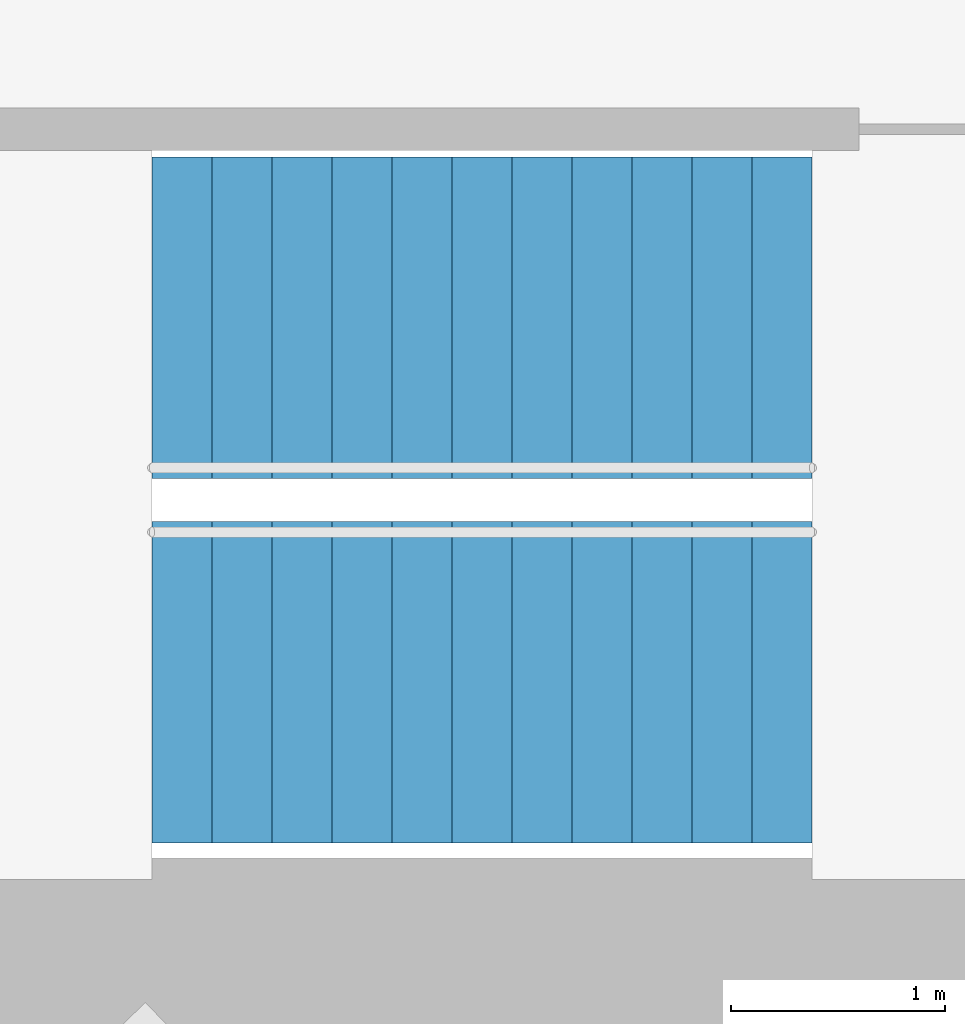
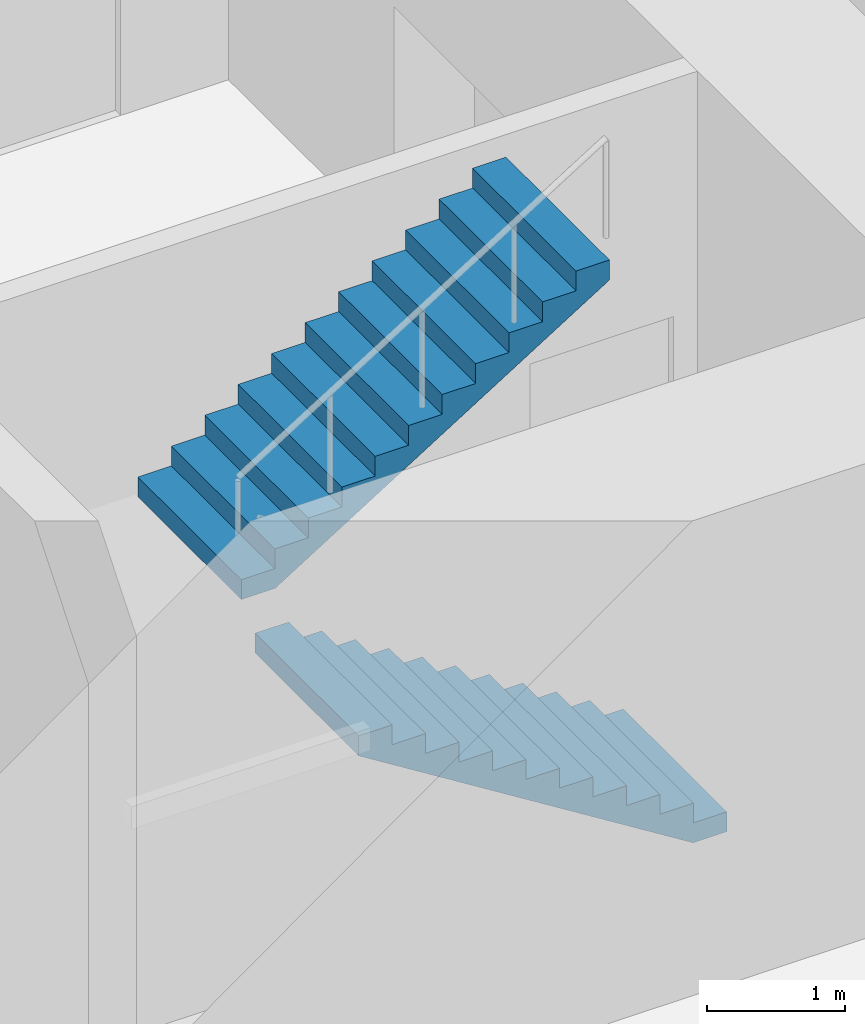
# One storey, part 17 of 18: 2 stair flights, 1 element without a shape of its own.
"""IFC4 building model written with IfcOpenShell, lengths in metres."""

from ifc_helpers import new_model, si_unit, direction, frame, origin, place, context, subcontext, project, spatial, triangles, material, type_object, element, aggregate, save


model = new_model("IFC4")

# Units and contexts
model_context = context("Model", 3, precision=1e-05, world=origin(), true_north=direction((0.0, 1.0)))
body_context = subcontext(model_context, "Body", "Model", "MODEL_VIEW")
ifc_project = project(units=[si_unit("LENGTHUNIT", "METRE"), si_unit("AREAUNIT", "SQUARE_METRE"), si_unit("VOLUMEUNIT", "CUBIC_METRE"), si_unit("PLANEANGLEUNIT", "RADIAN"), si_unit("MASSUNIT", "GRAM", prefix="KILO")], contexts=[model_context])

# Site, building, storey
site_placement = place(None, origin())
site = spatial("IfcSite", under=ifc_project, at=site_placement, CompositionType="ELEMENT")
building_placement = place(site_placement, origin())
building = spatial("IfcBuilding", under=site, at=building_placement, Name="Lantaw Convention Tower", CompositionType="ELEMENT")
storey_placement = place(building_placement, frame((0.0, 0.0, 188.800048828125)))
storey = spatial("IfcBuildingStorey", under=building, at=storey_placement, Name="L44", CompositionType="ELEMENT", Elevation=188.800048828125)

# Stair, stair flights
ifc_material = material(Name="Concrete C35/45", Category="concrete")
stair_type = type_object("IfcStairType", Name="Exit stair 1500 riser 175 in 2 flights", PredefinedType="HALF_TURN_STAIR", material=ifc_material)
stair_placement = place(storey_placement, origin())
stair = element("IfcStair", 1, at=stair_placement, inside=storey, type_object=stair_type, Name="Exit stair S2 L44", PredefinedType="HALF_TURN_STAIR")
stair_flight_type = type_object("IfcStairFlightType", Name="Stair flight 1500 riser 175", PredefinedType="STRAIGHT", material=ifc_material)
stair_flight_1_placement = place(storey_placement, frame((10.580078125, -5.97998046875, 0.0), z_axis=(0.0, 0.0, 1.0), x_axis=(-1.0, 0.0, 0.0)))
stair_flight_1 = element("IfcStairFlight", 2, at=stair_flight_1_placement, type_object=stair_flight_type, Name="S2 flight 1", NumberOfRisers=12, NumberOfTreads=11, PredefinedType="STRAIGHT", RiserHeight=0.175, TreadLength=0.28, context=body_context, shape_type="Tessellation", body=[
    triangles([(0.0, 0.75, 0.0), (0.0, 0.75, 0.175), (0.28, 0.75, 0.0), (0.28, 0.75, 0.175), (0.28, 0.75, 0.35), (0.28283517651771284, 0.75, 0.0), (0.28283517651771284, 0.75, 0.35), (0.56, 0.75, 0.17322801467642948), (0.56, 0.75, 0.35), (0.56, 0.75, 0.5249999999999999), (0.8400000000000001, 0.75, 0.34822801467642944), (0.8400000000000001, 0.75, 0.5249999999999999), (0.8400000000000001, 0.75, 0.7), (1.12, 0.75, 0.5232280146764294), (1.12, 0.75, 0.7), (1.12, 0.75, 0.875), (1.4000000000000001, 0.75, 0.6982280146764295), (1.4000000000000001, 0.75, 0.875), (1.4000000000000001, 0.75, 1.0499999999999998), (1.6800000000000002, 0.75, 0.8732280146764294), (1.6800000000000002, 0.75, 1.0499999999999998), (1.6800000000000002, 0.75, 1.2249999999999999), (1.9600000000000002, 0.75, 1.0482280146764293), (1.9600000000000002, 0.75, 1.2249999999999999), (1.9600000000000002, 0.75, 1.4), (2.24, 0.75, 1.2232280146764294), (2.24, 0.75, 1.4), (2.24, 0.75, 1.575), (2.5200000000000005, 0.75, 1.3982280146764294), (2.5200000000000005, 0.75, 1.575), (2.5200000000000005, 0.75, 1.75), (2.8000000000000003, 0.75, 1.5732280146764293), (2.8000000000000003, 0.75, 1.75), (2.8000000000000003, 0.75, 1.9249999999999998), (3.08, 0.75, 1.7482280146764293), (3.08, 0.75, 1.9249999999999998), (0.0, -0.75, 0.0), (0.0, -0.75, 0.175), (0.28, -0.75, 0.0), (0.28, -0.75, 0.175), (0.28, -0.75, 0.35), (0.28283517651771284, -0.75, 0.0), (0.28283517651771284, -0.75, 0.35), (0.56, -0.75, 0.17322801467642948), (0.56, -0.75, 0.35), (0.56, -0.75, 0.5249999999999999), (0.8400000000000001, -0.75, 0.34822801467642944), (0.8400000000000001, -0.75, 0.5249999999999999), (0.8400000000000001, -0.75, 0.7), (1.12, -0.75, 0.5232280146764294), (1.12, -0.75, 0.7), (1.12, -0.75, 0.875), (1.4000000000000001, -0.75, 0.6982280146764295), (1.4000000000000001, -0.75, 0.875), (1.4000000000000001, -0.75, 1.0499999999999998), (1.6800000000000002, -0.75, 0.8732280146764294), (1.6800000000000002, -0.75, 1.0499999999999998), (1.6800000000000002, -0.75, 1.2249999999999999), (1.9600000000000002, -0.75, 1.0482280146764293), (1.9600000000000002, -0.75, 1.2249999999999999), (1.9600000000000002, -0.75, 1.4), (2.24, -0.75, 1.2232280146764294), (2.24, -0.75, 1.4), (2.24, -0.75, 1.575), (2.5200000000000005, -0.75, 1.3982280146764294), (2.5200000000000005, -0.75, 1.575), (2.5200000000000005, -0.75, 1.75), (2.8000000000000003, -0.75, 1.5732280146764293), (2.8000000000000003, -0.75, 1.75), (2.8000000000000003, -0.75, 1.9249999999999998), (3.08, -0.75, 1.7482280146764293), (3.08, -0.75, 1.9249999999999998), (0.0, 0.15000000000000002, 0.175), (0.0, 0.15000000000000002, 0.0), (0.0, 0.0, 0.175), (0.0, 0.0, 0.0), (0.0, -0.15000000000000002, 0.175), (0.0, -0.15000000000000002, 0.0), (0.28, 0.15000000000000002, 0.35), (0.28, 0.15000000000000002, 0.175), (0.28, 0.0, 0.35), (0.28, 0.0, 0.175), (0.28, -0.15000000000000002, 0.35), (0.28, -0.15000000000000002, 0.175), (0.56, 0.15000000000000002, 0.5249999999999999), (0.56, 0.15000000000000002, 0.35), (0.56, 0.0, 0.5249999999999999), (0.56, 0.0, 0.35), (0.56, -0.15000000000000002, 0.5249999999999999), (0.56, -0.15000000000000002, 0.35), (0.8400000000000001, 0.15000000000000002, 0.7), (0.8400000000000001, 0.15000000000000002, 0.5249999999999999), (0.8400000000000001, 0.0, 0.7), (0.8400000000000001, 0.0, 0.5249999999999999), (0.8400000000000001, -0.15000000000000002, 0.7), (0.8400000000000001, -0.15000000000000002, 0.5249999999999999), (1.12, 0.15000000000000002, 0.875), (1.12, 0.15000000000000002, 0.7), (1.12, 0.0, 0.875), (1.12, 0.0, 0.7), (1.12, -0.15000000000000002, 0.875), (1.12, -0.15000000000000002, 0.7), (1.4000000000000001, 0.15000000000000002, 1.0499999999999998), (1.4000000000000001, 0.15000000000000002, 0.875), (1.4000000000000001, 0.0, 1.0499999999999998), (1.4000000000000001, 0.0, 0.875), (1.4000000000000001, -0.15000000000000002, 1.0499999999999998), (1.4000000000000001, -0.15000000000000002, 0.875), (1.6800000000000002, 0.15000000000000002, 1.2249999999999999), (1.6800000000000002, 0.15000000000000002, 1.0499999999999998), (1.6800000000000002, 0.0, 1.2249999999999999), (1.6800000000000002, 0.0, 1.0499999999999998), (1.6800000000000002, -0.15000000000000002, 1.2249999999999999), (1.6800000000000002, -0.15000000000000002, 1.0499999999999998), (1.9600000000000002, 0.15000000000000002, 1.4), (1.9600000000000002, 0.15000000000000002, 1.2249999999999999), (1.9600000000000002, 0.0, 1.4), (1.9600000000000002, 0.0, 1.2249999999999999), (1.9600000000000002, -0.15000000000000002, 1.4), (1.9600000000000002, -0.15000000000000002, 1.2249999999999999), (2.24, 0.15000000000000002, 1.575), (2.24, 0.15000000000000002, 1.4), (2.24, 0.0, 1.575), (2.24, 0.0, 1.4), (2.24, -0.15000000000000002, 1.575), (2.24, -0.15000000000000002, 1.4), (2.5200000000000005, 0.15000000000000002, 1.75), (2.5200000000000005, 0.15000000000000002, 1.575), (2.5200000000000005, 0.0, 1.75), (2.5200000000000005, 0.0, 1.575), (2.5200000000000005, -0.15000000000000002, 1.75), (2.5200000000000005, -0.15000000000000002, 1.575), (2.8000000000000003, 0.15000000000000002, 1.9249999999999998), (2.8000000000000003, 0.15000000000000002, 1.75), (2.8000000000000003, 0.0, 1.9249999999999998), (2.8000000000000003, 0.0, 1.75), (2.8000000000000003, -0.15000000000000002, 1.9249999999999998), (2.8000000000000003, -0.15000000000000002, 1.75), (0.28283517651771284, 0.15000000000000002, 0.35), (0.28283517651771284, 0.0, 0.35), (0.28283517651771284, -0.15000000000000002, 0.35), (3.08, 0.15000000000000002, 1.9249999999999998), (3.08, 0.0, 1.9249999999999998), (3.08, -0.15000000000000002, 1.9249999999999998), (3.08, 0.15000000000000002, 1.7482280146764293), (3.08, 0.0, 1.7482280146764293), (3.08, -0.15000000000000002, 1.7482280146764293), (2.8000000000000003, 0.15000000000000002, 1.5732280146764293), (2.8000000000000003, 0.0, 1.5732280146764293), (2.8000000000000003, -0.15000000000000002, 1.5732280146764293), (2.5200000000000005, 0.15000000000000002, 1.3982280146764294), (2.5200000000000005, 0.0, 1.3982280146764294), (2.5200000000000005, -0.15000000000000002, 1.3982280146764294), (2.24, 0.15000000000000002, 1.2232280146764294), (2.24, 0.0, 1.2232280146764294), (2.24, -0.15000000000000002, 1.2232280146764294), (1.9600000000000002, 0.15000000000000002, 1.0482280146764293), (1.9600000000000002, 0.0, 1.0482280146764293), (1.9600000000000002, -0.15000000000000002, 1.0482280146764293), (1.6800000000000002, 0.15000000000000002, 0.8732280146764294), (1.6800000000000002, 0.0, 0.8732280146764294), (1.6800000000000002, -0.15000000000000002, 0.8732280146764294), (1.4000000000000001, 0.15000000000000002, 0.6982280146764295), (1.4000000000000001, 0.0, 0.6982280146764295), (1.4000000000000001, -0.15000000000000002, 0.6982280146764295), (1.12, 0.15000000000000002, 0.5232280146764294), (1.12, 0.0, 0.5232280146764294), (1.12, -0.15000000000000002, 0.5232280146764294), (0.8400000000000001, 0.15000000000000002, 0.34822801467642944), (0.8400000000000001, 0.0, 0.34822801467642944), (0.8400000000000001, -0.15000000000000002, 0.34822801467642944), (0.56, 0.15000000000000002, 0.17322801467642948), (0.56, 0.0, 0.17322801467642948), (0.56, -0.15000000000000002, 0.17322801467642948), (0.28283517651771284, 0.15000000000000002, 0.0), (0.28283517651771284, 0.0, 0.0), (0.28283517651771284, -0.15000000000000002, 0.0), (0.28, 0.15000000000000002, 0.0), (0.28, 0.0, 0.0), (0.28, -0.15000000000000002, 0.0)], [[1, 4, 3], [1, 2, 4], [3, 4, 6], [4, 7, 6], [4, 5, 7], [6, 9, 8], [6, 7, 9], [8, 9, 11], [9, 12, 11], [9, 10, 12], [11, 12, 14], [12, 15, 14], [12, 13, 15], [14, 15, 17], [15, 18, 17], [15, 16, 18], [17, 18, 20], [18, 21, 20], [18, 19, 21], [20, 21, 23], [21, 24, 23], [21, 22, 24], [23, 24, 26], [24, 27, 26], [24, 25, 27], [26, 27, 29], [27, 30, 29], [27, 28, 30], [29, 30, 32], [30, 33, 32], [30, 31, 33], [32, 33, 35], [33, 36, 35], [33, 34, 36], [37, 39, 40], [37, 40, 38], [39, 42, 40], [40, 42, 43], [40, 43, 41], [42, 44, 45], [42, 45, 43], [44, 47, 45], [45, 47, 48], [45, 48, 46], [47, 50, 48], [48, 50, 51], [48, 51, 49], [50, 53, 51], [51, 53, 54], [51, 54, 52], [53, 56, 54], [54, 56, 57], [54, 57, 55], [56, 59, 57], [57, 59, 60], [57, 60, 58], [59, 62, 60], [60, 62, 63], [60, 63, 61], [62, 65, 63], [63, 65, 66], [63, 66, 64], [65, 68, 66], [66, 68, 69], [66, 69, 67], [68, 71, 69], [69, 71, 72], [69, 72, 70], [1, 73, 2], [1, 74, 73], [74, 75, 73], [74, 76, 75], [76, 77, 75], [76, 78, 77], [78, 38, 77], [78, 37, 38], [4, 79, 5], [4, 80, 79], [80, 81, 79], [80, 82, 81], [82, 83, 81], [82, 84, 83], [84, 41, 83], [84, 40, 41], [9, 85, 10], [9, 86, 85], [86, 87, 85], [86, 88, 87], [88, 89, 87], [88, 90, 89], [90, 46, 89], [90, 45, 46], [12, 91, 13], [12, 92, 91], [92, 93, 91], [92, 94, 93], [94, 95, 93], [94, 96, 95], [96, 49, 95], [96, 48, 49], [15, 97, 16], [15, 98, 97], [98, 99, 97], [98, 100, 99], [100, 101, 99], [100, 102, 101], [102, 52, 101], [102, 51, 52], [18, 103, 19], [18, 104, 103], [104, 105, 103], [104, 106, 105], [106, 107, 105], [106, 108, 107], [108, 55, 107], [108, 54, 55], [21, 109, 22], [21, 110, 109], [110, 111, 109], [110, 112, 111], [112, 113, 111], [112, 114, 113], [114, 58, 113], [114, 57, 58], [24, 115, 25], [24, 116, 115], [116, 117, 115], [116, 118, 117], [118, 119, 117], [118, 120, 119], [120, 61, 119], [120, 60, 61], [27, 121, 28], [27, 122, 121], [122, 123, 121], [122, 124, 123], [124, 125, 123], [124, 126, 125], [126, 64, 125], [126, 63, 64], [30, 127, 31], [30, 128, 127], [128, 129, 127], [128, 130, 129], [130, 131, 129], [130, 132, 131], [132, 67, 131], [132, 66, 67], [33, 133, 34], [33, 134, 133], [134, 135, 133], [134, 136, 135], [136, 137, 135], [136, 138, 137], [138, 70, 137], [138, 69, 70], [2, 80, 4], [2, 73, 80], [73, 82, 80], [73, 75, 82], [75, 84, 82], [75, 77, 84], [77, 40, 84], [77, 38, 40], [5, 139, 7], [5, 79, 139], [79, 140, 139], [79, 81, 140], [81, 141, 140], [81, 83, 141], [83, 43, 141], [83, 41, 43], [7, 86, 9], [7, 139, 86], [139, 88, 86], [139, 140, 88], [140, 90, 88], [140, 141, 90], [141, 45, 90], [141, 43, 45], [10, 92, 12], [10, 85, 92], [85, 94, 92], [85, 87, 94], [87, 96, 94], [87, 89, 96], [89, 48, 96], [89, 46, 48], [13, 98, 15], [13, 91, 98], [91, 100, 98], [91, 93, 100], [93, 102, 100], [93, 95, 102], [95, 51, 102], [95, 49, 51], [16, 104, 18], [16, 97, 104], [97, 106, 104], [97, 99, 106], [99, 108, 106], [99, 101, 108], [101, 54, 108], [101, 52, 54], [19, 110, 21], [19, 103, 110], [103, 112, 110], [103, 105, 112], [105, 114, 112], [105, 107, 114], [107, 57, 114], [107, 55, 57], [22, 116, 24], [22, 109, 116], [109, 118, 116], [109, 111, 118], [111, 120, 118], [111, 113, 120], [113, 60, 120], [113, 58, 60], [25, 122, 27], [25, 115, 122], [115, 124, 122], [115, 117, 124], [117, 126, 124], [117, 119, 126], [119, 63, 126], [119, 61, 63], [28, 128, 30], [28, 121, 128], [121, 130, 128], [121, 123, 130], [123, 132, 130], [123, 125, 132], [125, 66, 132], [125, 64, 66], [31, 134, 33], [31, 127, 134], [127, 136, 134], [127, 129, 136], [129, 138, 136], [129, 131, 138], [131, 69, 138], [131, 67, 69], [34, 142, 36], [34, 133, 142], [133, 143, 142], [133, 135, 143], [135, 144, 143], [135, 137, 144], [137, 72, 144], [137, 70, 72], [36, 145, 35], [36, 142, 145], [142, 146, 145], [142, 143, 146], [143, 147, 146], [143, 144, 147], [144, 71, 147], [144, 72, 71], [35, 148, 32], [35, 145, 148], [145, 149, 148], [145, 146, 149], [146, 150, 149], [146, 147, 150], [147, 68, 150], [147, 71, 68], [32, 151, 29], [32, 148, 151], [148, 152, 151], [148, 149, 152], [149, 153, 152], [149, 150, 153], [150, 65, 153], [150, 68, 65], [29, 154, 26], [29, 151, 154], [151, 155, 154], [151, 152, 155], [152, 156, 155], [152, 153, 156], [153, 62, 156], [153, 65, 62], [26, 157, 23], [26, 154, 157], [154, 158, 157], [154, 155, 158], [155, 159, 158], [155, 156, 159], [156, 59, 159], [156, 62, 59], [23, 160, 20], [23, 157, 160], [157, 161, 160], [157, 158, 161], [158, 162, 161], [158, 159, 162], [159, 56, 162], [159, 59, 56], [20, 163, 17], [20, 160, 163], [160, 164, 163], [160, 161, 164], [161, 165, 164], [161, 162, 165], [162, 53, 165], [162, 56, 53], [17, 166, 14], [17, 163, 166], [163, 167, 166], [163, 164, 167], [164, 168, 167], [164, 165, 168], [165, 50, 168], [165, 53, 50], [14, 169, 11], [14, 166, 169], [166, 170, 169], [166, 167, 170], [167, 171, 170], [167, 168, 171], [168, 47, 171], [168, 50, 47], [11, 172, 8], [11, 169, 172], [169, 173, 172], [169, 170, 173], [170, 174, 173], [170, 171, 174], [171, 44, 174], [171, 47, 44], [8, 175, 6], [8, 172, 175], [172, 176, 175], [172, 173, 176], [173, 177, 176], [173, 174, 177], [174, 42, 177], [174, 44, 42], [6, 178, 3], [6, 175, 178], [175, 179, 178], [175, 176, 179], [176, 180, 179], [176, 177, 180], [177, 39, 180], [177, 42, 39], [3, 74, 1], [3, 178, 74], [178, 76, 74], [178, 179, 76], [179, 78, 76], [179, 180, 78], [180, 37, 78], [180, 39, 37]], closed=True),
])
stair_flight_2_placement = place(storey_placement, frame((7.5, -4.280029296875, 2.099853515625), z_axis=(0.0, 0.0, 1.0), x_axis=(1.0, 0.0, 0.0)))
stair_flight_2 = element("IfcStairFlight", 3, at=stair_flight_2_placement, type_object=stair_flight_type, Name="S2 flight 2", NumberOfRisers=12, NumberOfTreads=11, PredefinedType="STRAIGHT", RiserHeight=0.175, TreadLength=0.28, context=body_context, shape_type="Tessellation", body=[
    triangles([(0.0, 0.75, 0.0), (0.0, 0.75, 0.175), (0.28, 0.75, 0.0), (0.28, 0.75, 0.175), (0.28, 0.75, 0.35), (0.28283517651771284, 0.75, 0.0), (0.28283517651771284, 0.75, 0.35), (0.56, 0.75, 0.17322801467642948), (0.56, 0.75, 0.35), (0.56, 0.75, 0.5249999999999999), (0.8400000000000001, 0.75, 0.34822801467642944), (0.8400000000000001, 0.75, 0.5249999999999999), (0.8400000000000001, 0.75, 0.7), (1.12, 0.75, 0.5232280146764294), (1.12, 0.75, 0.7), (1.12, 0.75, 0.875), (1.4000000000000001, 0.75, 0.6982280146764295), (1.4000000000000001, 0.75, 0.875), (1.4000000000000001, 0.75, 1.0499999999999998), (1.6800000000000002, 0.75, 0.8732280146764294), (1.6800000000000002, 0.75, 1.0499999999999998), (1.6800000000000002, 0.75, 1.2249999999999999), (1.9600000000000002, 0.75, 1.0482280146764293), (1.9600000000000002, 0.75, 1.2249999999999999), (1.9600000000000002, 0.75, 1.4), (2.24, 0.75, 1.2232280146764294), (2.24, 0.75, 1.4), (2.24, 0.75, 1.575), (2.5200000000000005, 0.75, 1.3982280146764294), (2.5200000000000005, 0.75, 1.575), (2.5200000000000005, 0.75, 1.75), (2.8000000000000003, 0.75, 1.5732280146764293), (2.8000000000000003, 0.75, 1.75), (2.8000000000000003, 0.75, 1.9249999999999998), (3.08, 0.75, 1.7482280146764293), (3.08, 0.75, 1.9249999999999998), (0.0, -0.75, 0.0), (0.0, -0.75, 0.175), (0.28, -0.75, 0.0), (0.28, -0.75, 0.175), (0.28, -0.75, 0.35), (0.28283517651771284, -0.75, 0.0), (0.28283517651771284, -0.75, 0.35), (0.56, -0.75, 0.17322801467642948), (0.56, -0.75, 0.35), (0.56, -0.75, 0.5249999999999999), (0.8400000000000001, -0.75, 0.34822801467642944), (0.8400000000000001, -0.75, 0.5249999999999999), (0.8400000000000001, -0.75, 0.7), (1.12, -0.75, 0.5232280146764294), (1.12, -0.75, 0.7), (1.12, -0.75, 0.875), (1.4000000000000001, -0.75, 0.6982280146764295), (1.4000000000000001, -0.75, 0.875), (1.4000000000000001, -0.75, 1.0499999999999998), (1.6800000000000002, -0.75, 0.8732280146764294), (1.6800000000000002, -0.75, 1.0499999999999998), (1.6800000000000002, -0.75, 1.2249999999999999), (1.9600000000000002, -0.75, 1.0482280146764293), (1.9600000000000002, -0.75, 1.2249999999999999), (1.9600000000000002, -0.75, 1.4), (2.24, -0.75, 1.2232280146764294), (2.24, -0.75, 1.4), (2.24, -0.75, 1.575), (2.5200000000000005, -0.75, 1.3982280146764294), (2.5200000000000005, -0.75, 1.575), (2.5200000000000005, -0.75, 1.75), (2.8000000000000003, -0.75, 1.5732280146764293), (2.8000000000000003, -0.75, 1.75), (2.8000000000000003, -0.75, 1.9249999999999998), (3.08, -0.75, 1.7482280146764293), (3.08, -0.75, 1.9249999999999998), (0.0, 0.15000000000000002, 0.175), (0.0, 0.15000000000000002, 0.0), (0.0, 0.0, 0.175), (0.0, 0.0, 0.0), (0.0, -0.15000000000000002, 0.175), (0.0, -0.15000000000000002, 0.0), (0.28, 0.15000000000000002, 0.35), (0.28, 0.15000000000000002, 0.175), (0.28, 0.0, 0.35), (0.28, 0.0, 0.175), (0.28, -0.15000000000000002, 0.35), (0.28, -0.15000000000000002, 0.175), (0.56, 0.15000000000000002, 0.5249999999999999), (0.56, 0.15000000000000002, 0.35), (0.56, 0.0, 0.5249999999999999), (0.56, 0.0, 0.35), (0.56, -0.15000000000000002, 0.5249999999999999), (0.56, -0.15000000000000002, 0.35), (0.8400000000000001, 0.15000000000000002, 0.7), (0.8400000000000001, 0.15000000000000002, 0.5249999999999999), (0.8400000000000001, 0.0, 0.7), (0.8400000000000001, 0.0, 0.5249999999999999), (0.8400000000000001, -0.15000000000000002, 0.7), (0.8400000000000001, -0.15000000000000002, 0.5249999999999999), (1.12, 0.15000000000000002, 0.875), (1.12, 0.15000000000000002, 0.7), (1.12, 0.0, 0.875), (1.12, 0.0, 0.7), (1.12, -0.15000000000000002, 0.875), (1.12, -0.15000000000000002, 0.7), (1.4000000000000001, 0.15000000000000002, 1.0499999999999998), (1.4000000000000001, 0.15000000000000002, 0.875), (1.4000000000000001, 0.0, 1.0499999999999998), (1.4000000000000001, 0.0, 0.875), (1.4000000000000001, -0.15000000000000002, 1.0499999999999998), (1.4000000000000001, -0.15000000000000002, 0.875), (1.6800000000000002, 0.15000000000000002, 1.2249999999999999), (1.6800000000000002, 0.15000000000000002, 1.0499999999999998), (1.6800000000000002, 0.0, 1.2249999999999999), (1.6800000000000002, 0.0, 1.0499999999999998), (1.6800000000000002, -0.15000000000000002, 1.2249999999999999), (1.6800000000000002, -0.15000000000000002, 1.0499999999999998), (1.9600000000000002, 0.15000000000000002, 1.4), (1.9600000000000002, 0.15000000000000002, 1.2249999999999999), (1.9600000000000002, 0.0, 1.4), (1.9600000000000002, 0.0, 1.2249999999999999), (1.9600000000000002, -0.15000000000000002, 1.4), (1.9600000000000002, -0.15000000000000002, 1.2249999999999999), (2.24, 0.15000000000000002, 1.575), (2.24, 0.15000000000000002, 1.4), (2.24, 0.0, 1.575), (2.24, 0.0, 1.4), (2.24, -0.15000000000000002, 1.575), (2.24, -0.15000000000000002, 1.4), (2.5200000000000005, 0.15000000000000002, 1.75), (2.5200000000000005, 0.15000000000000002, 1.575), (2.5200000000000005, 0.0, 1.75), (2.5200000000000005, 0.0, 1.575), (2.5200000000000005, -0.15000000000000002, 1.75), (2.5200000000000005, -0.15000000000000002, 1.575), (2.8000000000000003, 0.15000000000000002, 1.9249999999999998), (2.8000000000000003, 0.15000000000000002, 1.75), (2.8000000000000003, 0.0, 1.9249999999999998), (2.8000000000000003, 0.0, 1.75), (2.8000000000000003, -0.15000000000000002, 1.9249999999999998), (2.8000000000000003, -0.15000000000000002, 1.75), (0.28283517651771284, 0.15000000000000002, 0.35), (0.28283517651771284, 0.0, 0.35), (0.28283517651771284, -0.15000000000000002, 0.35), (3.08, 0.15000000000000002, 1.9249999999999998), (3.08, 0.0, 1.9249999999999998), (3.08, -0.15000000000000002, 1.9249999999999998), (3.08, 0.15000000000000002, 1.7482280146764293), (3.08, 0.0, 1.7482280146764293), (3.08, -0.15000000000000002, 1.7482280146764293), (2.8000000000000003, 0.15000000000000002, 1.5732280146764293), (2.8000000000000003, 0.0, 1.5732280146764293), (2.8000000000000003, -0.15000000000000002, 1.5732280146764293), (2.5200000000000005, 0.15000000000000002, 1.3982280146764294), (2.5200000000000005, 0.0, 1.3982280146764294), (2.5200000000000005, -0.15000000000000002, 1.3982280146764294), (2.24, 0.15000000000000002, 1.2232280146764294), (2.24, 0.0, 1.2232280146764294), (2.24, -0.15000000000000002, 1.2232280146764294), (1.9600000000000002, 0.15000000000000002, 1.0482280146764293), (1.9600000000000002, 0.0, 1.0482280146764293), (1.9600000000000002, -0.15000000000000002, 1.0482280146764293), (1.6800000000000002, 0.15000000000000002, 0.8732280146764294), (1.6800000000000002, 0.0, 0.8732280146764294), (1.6800000000000002, -0.15000000000000002, 0.8732280146764294), (1.4000000000000001, 0.15000000000000002, 0.6982280146764295), (1.4000000000000001, 0.0, 0.6982280146764295), (1.4000000000000001, -0.15000000000000002, 0.6982280146764295), (1.12, 0.15000000000000002, 0.5232280146764294), (1.12, 0.0, 0.5232280146764294), (1.12, -0.15000000000000002, 0.5232280146764294), (0.8400000000000001, 0.15000000000000002, 0.34822801467642944), (0.8400000000000001, 0.0, 0.34822801467642944), (0.8400000000000001, -0.15000000000000002, 0.34822801467642944), (0.56, 0.15000000000000002, 0.17322801467642948), (0.56, 0.0, 0.17322801467642948), (0.56, -0.15000000000000002, 0.17322801467642948), (0.28283517651771284, 0.15000000000000002, 0.0), (0.28283517651771284, 0.0, 0.0), (0.28283517651771284, -0.15000000000000002, 0.0), (0.28, 0.15000000000000002, 0.0), (0.28, 0.0, 0.0), (0.28, -0.15000000000000002, 0.0)], [[1, 4, 3], [1, 2, 4], [3, 4, 6], [4, 7, 6], [4, 5, 7], [6, 9, 8], [6, 7, 9], [8, 9, 11], [9, 12, 11], [9, 10, 12], [11, 12, 14], [12, 15, 14], [12, 13, 15], [14, 15, 17], [15, 18, 17], [15, 16, 18], [17, 18, 20], [18, 21, 20], [18, 19, 21], [20, 21, 23], [21, 24, 23], [21, 22, 24], [23, 24, 26], [24, 27, 26], [24, 25, 27], [26, 27, 29], [27, 30, 29], [27, 28, 30], [29, 30, 32], [30, 33, 32], [30, 31, 33], [32, 33, 35], [33, 36, 35], [33, 34, 36], [37, 39, 40], [37, 40, 38], [39, 42, 40], [40, 42, 43], [40, 43, 41], [42, 44, 45], [42, 45, 43], [44, 47, 45], [45, 47, 48], [45, 48, 46], [47, 50, 48], [48, 50, 51], [48, 51, 49], [50, 53, 51], [51, 53, 54], [51, 54, 52], [53, 56, 54], [54, 56, 57], [54, 57, 55], [56, 59, 57], [57, 59, 60], [57, 60, 58], [59, 62, 60], [60, 62, 63], [60, 63, 61], [62, 65, 63], [63, 65, 66], [63, 66, 64], [65, 68, 66], [66, 68, 69], [66, 69, 67], [68, 71, 69], [69, 71, 72], [69, 72, 70], [1, 73, 2], [1, 74, 73], [74, 75, 73], [74, 76, 75], [76, 77, 75], [76, 78, 77], [78, 38, 77], [78, 37, 38], [4, 79, 5], [4, 80, 79], [80, 81, 79], [80, 82, 81], [82, 83, 81], [82, 84, 83], [84, 41, 83], [84, 40, 41], [9, 85, 10], [9, 86, 85], [86, 87, 85], [86, 88, 87], [88, 89, 87], [88, 90, 89], [90, 46, 89], [90, 45, 46], [12, 91, 13], [12, 92, 91], [92, 93, 91], [92, 94, 93], [94, 95, 93], [94, 96, 95], [96, 49, 95], [96, 48, 49], [15, 97, 16], [15, 98, 97], [98, 99, 97], [98, 100, 99], [100, 101, 99], [100, 102, 101], [102, 52, 101], [102, 51, 52], [18, 103, 19], [18, 104, 103], [104, 105, 103], [104, 106, 105], [106, 107, 105], [106, 108, 107], [108, 55, 107], [108, 54, 55], [21, 109, 22], [21, 110, 109], [110, 111, 109], [110, 112, 111], [112, 113, 111], [112, 114, 113], [114, 58, 113], [114, 57, 58], [24, 115, 25], [24, 116, 115], [116, 117, 115], [116, 118, 117], [118, 119, 117], [118, 120, 119], [120, 61, 119], [120, 60, 61], [27, 121, 28], [27, 122, 121], [122, 123, 121], [122, 124, 123], [124, 125, 123], [124, 126, 125], [126, 64, 125], [126, 63, 64], [30, 127, 31], [30, 128, 127], [128, 129, 127], [128, 130, 129], [130, 131, 129], [130, 132, 131], [132, 67, 131], [132, 66, 67], [33, 133, 34], [33, 134, 133], [134, 135, 133], [134, 136, 135], [136, 137, 135], [136, 138, 137], [138, 70, 137], [138, 69, 70], [2, 80, 4], [2, 73, 80], [73, 82, 80], [73, 75, 82], [75, 84, 82], [75, 77, 84], [77, 40, 84], [77, 38, 40], [5, 139, 7], [5, 79, 139], [79, 140, 139], [79, 81, 140], [81, 141, 140], [81, 83, 141], [83, 43, 141], [83, 41, 43], [7, 86, 9], [7, 139, 86], [139, 88, 86], [139, 140, 88], [140, 90, 88], [140, 141, 90], [141, 45, 90], [141, 43, 45], [10, 92, 12], [10, 85, 92], [85, 94, 92], [85, 87, 94], [87, 96, 94], [87, 89, 96], [89, 48, 96], [89, 46, 48], [13, 98, 15], [13, 91, 98], [91, 100, 98], [91, 93, 100], [93, 102, 100], [93, 95, 102], [95, 51, 102], [95, 49, 51], [16, 104, 18], [16, 97, 104], [97, 106, 104], [97, 99, 106], [99, 108, 106], [99, 101, 108], [101, 54, 108], [101, 52, 54], [19, 110, 21], [19, 103, 110], [103, 112, 110], [103, 105, 112], [105, 114, 112], [105, 107, 114], [107, 57, 114], [107, 55, 57], [22, 116, 24], [22, 109, 116], [109, 118, 116], [109, 111, 118], [111, 120, 118], [111, 113, 120], [113, 60, 120], [113, 58, 60], [25, 122, 27], [25, 115, 122], [115, 124, 122], [115, 117, 124], [117, 126, 124], [117, 119, 126], [119, 63, 126], [119, 61, 63], [28, 128, 30], [28, 121, 128], [121, 130, 128], [121, 123, 130], [123, 132, 130], [123, 125, 132], [125, 66, 132], [125, 64, 66], [31, 134, 33], [31, 127, 134], [127, 136, 134], [127, 129, 136], [129, 138, 136], [129, 131, 138], [131, 69, 138], [131, 67, 69], [34, 142, 36], [34, 133, 142], [133, 143, 142], [133, 135, 143], [135, 144, 143], [135, 137, 144], [137, 72, 144], [137, 70, 72], [36, 145, 35], [36, 142, 145], [142, 146, 145], [142, 143, 146], [143, 147, 146], [143, 144, 147], [144, 71, 147], [144, 72, 71], [35, 148, 32], [35, 145, 148], [145, 149, 148], [145, 146, 149], [146, 150, 149], [146, 147, 150], [147, 68, 150], [147, 71, 68], [32, 151, 29], [32, 148, 151], [148, 152, 151], [148, 149, 152], [149, 153, 152], [149, 150, 153], [150, 65, 153], [150, 68, 65], [29, 154, 26], [29, 151, 154], [151, 155, 154], [151, 152, 155], [152, 156, 155], [152, 153, 156], [153, 62, 156], [153, 65, 62], [26, 157, 23], [26, 154, 157], [154, 158, 157], [154, 155, 158], [155, 159, 158], [155, 156, 159], [156, 59, 159], [156, 62, 59], [23, 160, 20], [23, 157, 160], [157, 161, 160], [157, 158, 161], [158, 162, 161], [158, 159, 162], [159, 56, 162], [159, 59, 56], [20, 163, 17], [20, 160, 163], [160, 164, 163], [160, 161, 164], [161, 165, 164], [161, 162, 165], [162, 53, 165], [162, 56, 53], [17, 166, 14], [17, 163, 166], [163, 167, 166], [163, 164, 167], [164, 168, 167], [164, 165, 168], [165, 50, 168], [165, 53, 50], [14, 169, 11], [14, 166, 169], [166, 170, 169], [166, 167, 170], [167, 171, 170], [167, 168, 171], [168, 47, 171], [168, 50, 47], [11, 172, 8], [11, 169, 172], [169, 173, 172], [169, 170, 173], [170, 174, 173], [170, 171, 174], [171, 44, 174], [171, 47, 44], [8, 175, 6], [8, 172, 175], [172, 176, 175], [172, 173, 176], [173, 177, 176], [173, 174, 177], [174, 42, 177], [174, 44, 42], [6, 178, 3], [6, 175, 178], [175, 179, 178], [175, 176, 179], [176, 180, 179], [176, 177, 180], [177, 39, 180], [177, 42, 39], [3, 74, 1], [3, 178, 74], [178, 76, 74], [178, 179, 76], [179, 78, 76], [179, 180, 78], [180, 37, 78], [180, 39, 37]], closed=True),
])
aggregate(stair, [stair_flight_1, stair_flight_2])

save(model, "model.ifc")
